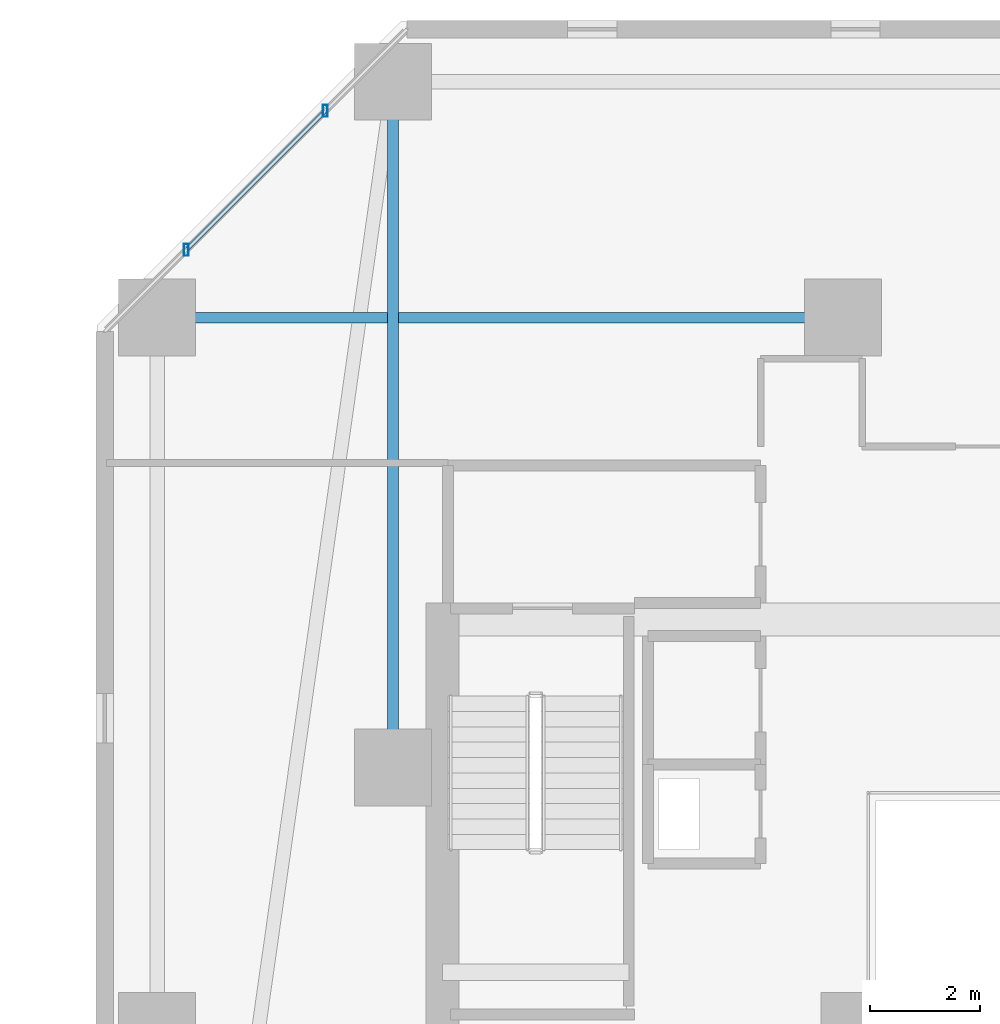
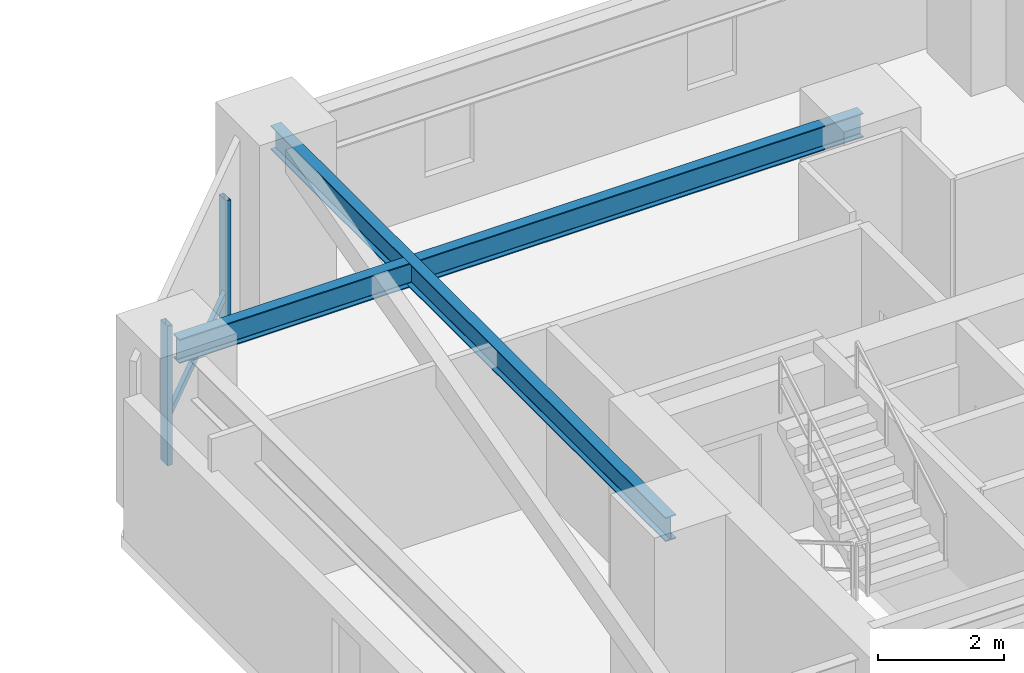
# One storey, part 14 of 33: 3 members, 2 beams, 1 element without a shape of its own.
"""IFC4 building model written with IfcOpenShell, lengths in metres."""

from ifc_helpers import new_model, si_unit, direction, frame, origin, origin_2d, place, context, subcontext, project, spatial, hollow_rectangle, i_section, extrude, material, material_profile, profile_set, type_object, element, aggregate, save


model = new_model("IFC4")

# Units and contexts
model_context = context("Model", 3, precision=1e-05, world=origin(), true_north=direction((0.0, 1.0)))
body_context = subcontext(model_context, "Body", "Model", "MODEL_VIEW")
ifc_project = project(units=[si_unit("LENGTHUNIT", "METRE"), si_unit("AREAUNIT", "SQUARE_METRE"), si_unit("VOLUMEUNIT", "CUBIC_METRE"), si_unit("PLANEANGLEUNIT", "RADIAN"), si_unit("MASSUNIT", "GRAM", prefix="KILO")], contexts=[model_context])

# Site, building, storey
site_placement = place(None, origin())
site = spatial("IfcSite", under=ifc_project, at=site_placement, CompositionType="ELEMENT")
building_placement = place(site_placement, origin())
building = spatial("IfcBuilding", under=site, at=building_placement, Name="Thornwick Lancets Civic Towers", CompositionType="ELEMENT")
storey_placement = place(building_placement, frame((0.0, 0.0, 35.10009765625)))
storey = spatial("IfcBuildingStorey", under=building, at=storey_placement, Name="L08", CompositionType="ELEMENT", Elevation=35.10009765625)

# Beams
ifc_material_1 = material(Name="Steel S355JR", Category="steel")
ifc_material_profile_1 = material_profile(ifc_material_1, i_section(OverallWidth=0.19287109375, OverallDepth=0.46728515625, WebThickness=0.011474609375, FlangeThickness=0.01953125, FilletRadius=0.01025390625, at=origin_2d()), Name="UKB 457x191x98")
ifc_profile_set_1 = profile_set([ifc_material_profile_1], Name="Steel S355JR")
beam_type = type_object("IfcBeamType", Name="BM_JOIST_457_98", PredefinedType="JOIST", material=ifc_profile_set_1)
for number, where, z_axis, x_axis, name in (
    (1, (75.5, 31.800048828125, 3.126220703125), (0.0, 1.0, 0.0), (-1.0, 0.0, 0.0), "BM-RADIN-L08-B06"),
    (2, (83.699951171875, 40.0, 3.126220703125), (-1.0, 0.0, 0.0), (0.0, -1.0, 0.0), "BM-RADIN-L08-B09"),
):
    element("IfcBeam", number, at=place(storey_placement, frame(where, z_axis=z_axis, x_axis=x_axis)), inside=storey, type_object=beam_type, Name=name, PredefinedType="JOIST", context=body_context, shape_type="SweptSolid", body=[
        extrude(i_section(OverallWidth=0.19287109375, OverallDepth=0.46728515625, WebThickness=0.011474609375, FlangeThickness=0.01953125, FilletRadius=0.01025390625, at=origin_2d()), origin(), (0.0, 0.0, 1.0), 12.5),
    ])

# Curtain wall, members
ifc_material_2 = material(Name="Low-zone chamfered-corner unitised glass curtain wall", Category="glass")
curtain_wall_type = type_object("IfcCurtainWallType", Name="CW_SYS_03", PredefinedType="NOTDEFINED", material=ifc_material_2)
curtain_wall_placement = place(storey_placement, origin())
curtain_wall = element("IfcCurtainWall", 3, at=curtain_wall_placement, inside=storey, type_object=curtain_wall_type, Name="L08 Curtain Wall CW-L08-B-E5", PredefinedType="NOTDEFINED")
ifc_material_3 = material(Name="Thermally broken bronze aluminium S355", Category="steel")
ifc_material_profile_2 = material_profile(ifc_material_3, hollow_rectangle(XDim=0.090087890625, YDim=0.219970703125, WallThickness=0.00634765625, at=origin_2d()), Name="RHS 220x90x6.3")
ifc_profile_set_2 = profile_set([ifc_material_profile_2], Name="Thermally broken bronze aluminium S355")
member_type_1 = type_object("IfcMemberType", Name="CW_MUL_220", PredefinedType="MULLION", material=ifc_profile_set_2)
member_1_placement = place(storey_placement, frame((74.264404296875, 43.767578125, 0.0), z_axis=(0.0, 0.0, 1.0), x_axis=(1.0, 0.0, 0.0)))
member_1 = element("IfcMember", 4, at=member_1_placement, type_object=member_type_1, Name="CW-L08-B-E5 Mullion 0", PredefinedType="MULLION", context=body_context, shape_type="SweptSolid", body=[
    extrude(hollow_rectangle(XDim=0.090087890625, YDim=0.219970703125, WallThickness=0.00634765625, at=origin_2d()), origin(), (0.0, 0.0, 1.0), 2.699951171875),
])
member_2_placement = place(storey_placement, frame((71.732421875, 41.235595703125, 0.0), z_axis=(0.0, 0.0, 1.0), x_axis=(1.0, 0.0, 0.0)))
member_2 = element("IfcMember", 5, at=member_2_placement, type_object=member_type_1, Name="CW-L08-B-E5 Mullion 1", PredefinedType="MULLION", context=body_context, shape_type="SweptSolid", body=[
    extrude(hollow_rectangle(XDim=0.090087890625, YDim=0.219970703125, WallThickness=0.00634765625, at=origin_2d()), origin(), (0.0, 0.0, 1.0), 2.699951171875),
])
ifc_material_profile_3 = material_profile(ifc_material_3, hollow_rectangle(XDim=0.074951171875, YDim=0.14990234375, WallThickness=0.0048828125, at=origin_2d()), Name="RHS 150x75x5")
ifc_profile_set_3 = profile_set([ifc_material_profile_3], Name="Thermally broken bronze aluminium S355")
member_type_2 = type_object("IfcMemberType", Name="CW_TRN_150", PredefinedType="USERDEFINED", material=ifc_profile_set_3)
member_3_placement = place(storey_placement, frame((74.25048828125, 43.753662109375, 0.849853515625), z_axis=(-0.707106781187, -0.707106781187, 0.0), x_axis=(0.707106781187, -0.707106781187, 0.0)))
member_3 = element("IfcMember", 6, at=member_3_placement, type_object=member_type_2, Name="CW-L08-B-E5 Transom 0", ObjectType="TRANSOM", PredefinedType="USERDEFINED", context=body_context, shape_type="SweptSolid", body=[
    extrude(hollow_rectangle(XDim=0.074951171875, YDim=0.14990234375, WallThickness=0.0048828125, at=origin_2d()), origin(), (0.0, 0.0, 1.0), 3.54150390625),
])
aggregate(curtain_wall, [member_1, member_2, member_3])

save(model, "model.ifc")
